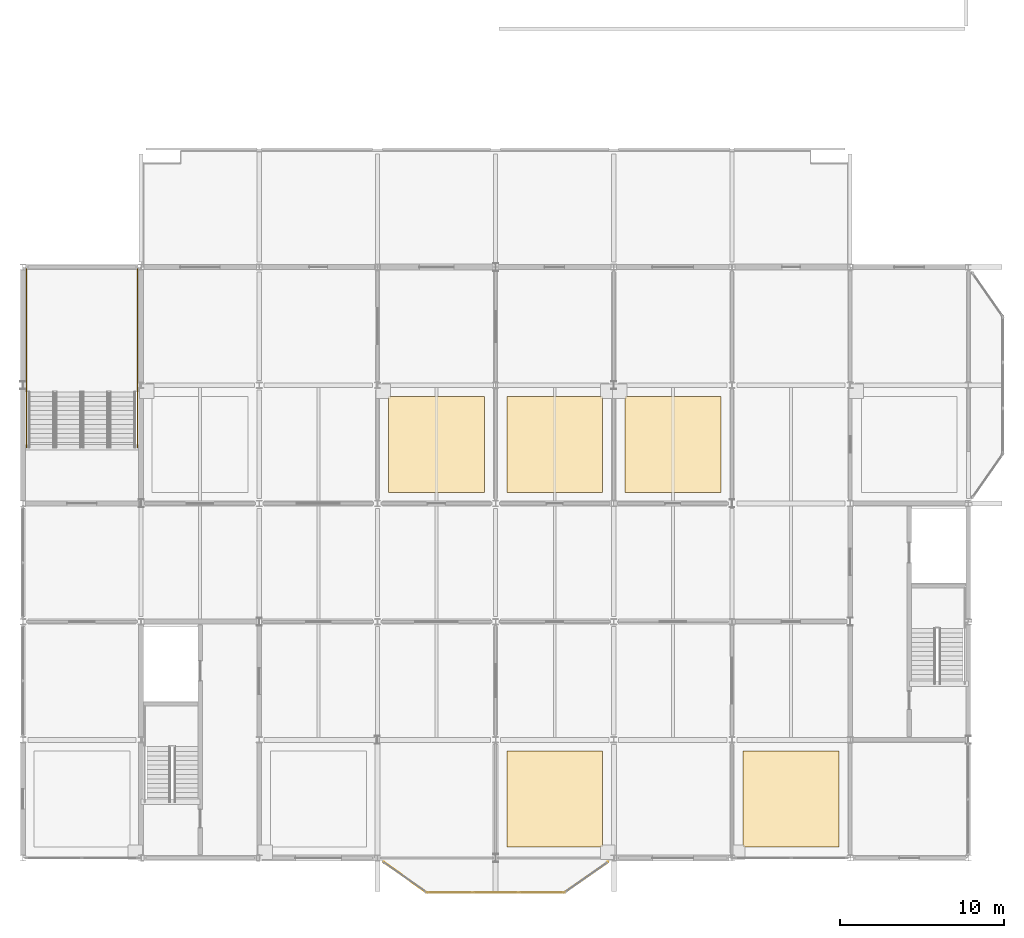
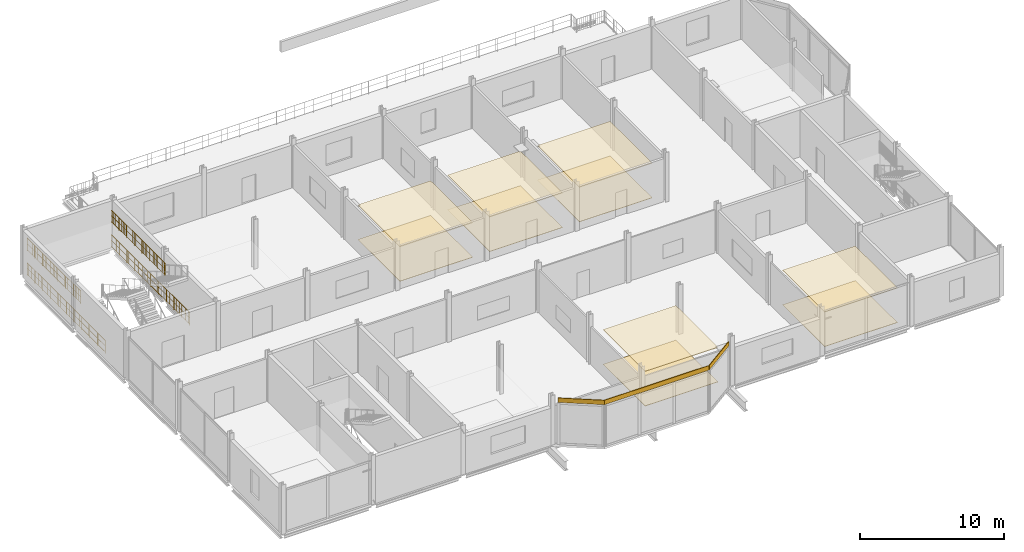
# One storey, part 24 of 26: 13 coverings, 4 railings.
"""IFC4 building model written with IfcOpenShell, lengths in metres."""

from ifc_helpers import new_model, si_unit, direction, frame, frame_2d, origin, origin_2d, place, context, subcontext, project, spatial, polyline, rectangle, circle, outline, extrude, material, layer, layer_set, type_object, element, save


model = new_model("IFC4")

# Units and contexts
model_context = context("Model", 3, precision=1e-05, world=origin(), true_north=direction((0.0, 1.0)))
body_context = subcontext(model_context, "Body", "Model", "MODEL_VIEW")
ifc_project = project(units=[si_unit("LENGTHUNIT", "METRE"), si_unit("AREAUNIT", "SQUARE_METRE"), si_unit("VOLUMEUNIT", "CUBIC_METRE"), si_unit("PLANEANGLEUNIT", "RADIAN"), si_unit("MASSUNIT", "GRAM", prefix="KILO")], contexts=[model_context])

# Site, building, storey
site_placement = place(None, origin())
site = spatial("IfcSite", under=ifc_project, at=site_placement, CompositionType="ELEMENT")
building_placement = place(site_placement, origin())
building = spatial("IfcBuilding", under=site, at=building_placement, Name="Vesperath Aquatics Centre", CompositionType="ELEMENT")
storey_placement = place(building_placement, frame((0.0, 0.0, 19.199951171875)))
storey = spatial("IfcBuildingStorey", under=building, at=storey_placement, Name="L04", CompositionType="ELEMENT", Elevation=19.199951171875)

# Coverings
ifc_material_1 = material(Name="Teal and ochre glazed ceramic majolica frieze", Category="ceramic")
ifc_layer_1 = layer(ifc_material_1, 0.0400390625)
ifc_layer_set_1 = layer_set([ifc_layer_1], Name="Teal and ochre glazed ceramic majolica frieze")
covering_type_1 = type_object("IfcCoveringType", Name="CV-CLD01", PredefinedType="CLADDING", material=ifc_layer_set_1)
covering_1_placement = place(storey_placement, frame((137.159912109375, -0.251953125, 3.5400390625), z_axis=(0.0, 0.0, 1.0), x_axis=(0.819224802448, -0.573472512903, 0.0)))
element("IfcCovering", 1, at=covering_1_placement, inside=storey, type_object=covering_type_1, Name="South Bow Oriel Majolica Frieze CLD1 L04-W", PredefinedType="CLADDING", context=body_context, shape_type="SweptSolid", body=[
    extrude(rectangle(XDim=3.22265625, YDim=0.050048828125, at=frame_2d((1.611328125, 0.0))), origin(), (0.0, 0.0, 1.0), 0.380126953125),
])
covering_2_placement = place(storey_placement, frame((139.800048828125, -2.10009765625, 3.5400390625), z_axis=(0.0, 0.0, 1.0), x_axis=(1.0, 0.0, 0.0)))
element("IfcCovering", 2, at=covering_2_placement, inside=storey, type_object=covering_type_1, Name="South Bow Oriel Majolica Frieze CLD1 L04-C", PredefinedType="CLADDING", context=body_context, shape_type="SweptSolid", body=[
    extrude(rectangle(XDim=8.39990234375, YDim=0.050048828125, at=frame_2d((4.199951171875, 0.0))), origin(), (0.0, 0.0, 1.0), 0.380126953125),
])
covering_3_placement = place(storey_placement, frame((148.199951171875, -2.10009765625, 3.5400390625), z_axis=(0.0, 0.0, 1.0), x_axis=(0.819224802448, 0.573472512903, 0.0)))
element("IfcCovering", 3, at=covering_3_placement, inside=storey, type_object=covering_type_1, Name="South Bow Oriel Majolica Frieze CLD1 L04-E", PredefinedType="CLADDING", context=body_context, shape_type="SweptSolid", body=[
    extrude(rectangle(XDim=3.22265625, YDim=0.050048828125, at=frame_2d((1.611328125, 0.0))), origin(), (0.0, 0.0, 1.0), 0.380126953125),
])
ifc_material_2 = material(Name="Perforated moisture-resistant acoustic mineral-fibre ceiling", Category="gypsum")
ifc_layer_2 = layer(ifc_material_2, 0.044921875)
ifc_layer_set_2 = layer_set([ifc_layer_2], Name="Perforated moisture-resistant acoustic mineral-fibre ceiling")
covering_type_2 = type_object("IfcCoveringType", Name="CV-CLG01", PredefinedType="CEILING", material=ifc_layer_set_2)
covering_4_placement = place(storey_placement, frame((0.0, 0.0, 2.925048828125)))
element("IfcCovering", 4, at=covering_4_placement, inside=storey, type_object=covering_type_2, Name="Acoustic Suspended Ceiling CLG1 L04_CRYO", PredefinedType="CEILING", context=body_context, shape_type="SweptSolid", body=[
    extrude(outline(polyline([(144.679931640625, 0.679931640625), (150.52001953125, 0.679931640625), (150.52001953125, 6.52001953125), (144.679931640625, 6.52001953125), (144.679931640625, 0.679931640625)])), origin(), (0.0, 0.0, 1.0), 0.044921875),
])
covering_5_placement = place(storey_placement, frame((0.0, 0.0, 2.925048828125)))
element("IfcCovering", 5, at=covering_5_placement, inside=storey, type_object=covering_type_2, Name="Acoustic Suspended Ceiling CLG1 L04_CONSULT", PredefinedType="CEILING", context=body_context, shape_type="SweptSolid", body=[
    extrude(outline(polyline([(159.080078125, 0.679931640625), (164.919921875, 0.679931640625), (164.919921875, 6.52001953125), (159.080078125, 6.52001953125), (159.080078125, 0.679931640625)])), origin(), (0.0, 0.0, 1.0), 0.044921875),
])
covering_6_placement = place(storey_placement, frame((0.0, 0.0, 2.925048828125)))
element("IfcCovering", 6, at=covering_6_placement, inside=storey, type_object=covering_type_2, Name="Acoustic Suspended Ceiling CLG1 L04_NUTR", PredefinedType="CEILING", context=body_context, shape_type="SweptSolid", body=[
    extrude(outline(polyline([(137.47998046875, 22.280029296875), (143.320068359375, 22.280029296875), (143.320068359375, 28.1201171875), (137.47998046875, 28.1201171875), (137.47998046875, 22.280029296875)])), origin(), (0.0, 0.0, 1.0), 0.044921875),
])
covering_7_placement = place(storey_placement, frame((0.0, 0.0, 2.925048828125)))
element("IfcCovering", 7, at=covering_7_placement, inside=storey, type_object=covering_type_2, Name="Acoustic Suspended Ceiling CLG1 L04_MWC", PredefinedType="CEILING", context=body_context, shape_type="SweptSolid", body=[
    extrude(outline(polyline([(144.679931640625, 22.280029296875), (150.52001953125, 22.280029296875), (150.52001953125, 28.1201171875), (144.679931640625, 28.1201171875), (144.679931640625, 22.280029296875)])), origin(), (0.0, 0.0, 1.0), 0.044921875),
])
covering_8_placement = place(storey_placement, frame((0.0, 0.0, 2.925048828125)))
element("IfcCovering", 8, at=covering_8_placement, inside=storey, type_object=covering_type_2, Name="Acoustic Suspended Ceiling CLG1 L04_FWC", PredefinedType="CEILING", context=body_context, shape_type="SweptSolid", body=[
    extrude(outline(polyline([(151.8798828125, 22.280029296875), (157.719970703125, 22.280029296875), (157.719970703125, 28.1201171875), (151.8798828125, 28.1201171875), (151.8798828125, 22.280029296875)])), origin(), (0.0, 0.0, 1.0), 0.044921875),
])
ifc_material_3 = material(Name="Slip-resistant vitrified ceramic and terrazzo flooring", Category="ceramic")
ifc_layer_3 = layer(ifc_material_3, 0.030029296875)
ifc_layer_set_3 = layer_set([ifc_layer_3], Name="Slip-resistant vitrified ceramic and terrazzo flooring")
covering_type_3 = type_object("IfcCoveringType", Name="CV-FLR01", PredefinedType="FLOORING", material=ifc_layer_set_3)
covering_9_placement = place(storey_placement, origin())
element("IfcCovering", 9, at=covering_9_placement, inside=storey, type_object=covering_type_3, Name="Slip-Resistant Floor Finish FLR1 L04_CRYO", PredefinedType="FLOORING", context=body_context, shape_type="SweptSolid", body=[
    extrude(outline(polyline([(144.679931640625, 0.679931640625), (150.52001953125, 0.679931640625), (150.52001953125, 6.52001953125), (144.679931640625, 6.52001953125), (144.679931640625, 0.679931640625)])), origin(), (0.0, 0.0, 1.0), 0.030029296875),
])
covering_10_placement = place(storey_placement, origin())
element("IfcCovering", 10, at=covering_10_placement, inside=storey, type_object=covering_type_3, Name="Slip-Resistant Floor Finish FLR1 L04_CONSULT", PredefinedType="FLOORING", context=body_context, shape_type="SweptSolid", body=[
    extrude(outline(polyline([(159.080078125, 0.679931640625), (164.919921875, 0.679931640625), (164.919921875, 6.52001953125), (159.080078125, 6.52001953125), (159.080078125, 0.679931640625)])), origin(), (0.0, 0.0, 1.0), 0.030029296875),
])
covering_11_placement = place(storey_placement, origin())
element("IfcCovering", 11, at=covering_11_placement, inside=storey, type_object=covering_type_3, Name="Slip-Resistant Floor Finish FLR1 L04_NUTR", PredefinedType="FLOORING", context=body_context, shape_type="SweptSolid", body=[
    extrude(outline(polyline([(137.47998046875, 22.280029296875), (143.320068359375, 22.280029296875), (143.320068359375, 28.1201171875), (137.47998046875, 28.1201171875), (137.47998046875, 22.280029296875)])), origin(), (0.0, 0.0, 1.0), 0.030029296875),
])
covering_12_placement = place(storey_placement, origin())
element("IfcCovering", 12, at=covering_12_placement, inside=storey, type_object=covering_type_3, Name="Slip-Resistant Floor Finish FLR1 L04_MWC", PredefinedType="FLOORING", context=body_context, shape_type="SweptSolid", body=[
    extrude(outline(polyline([(144.679931640625, 22.280029296875), (150.52001953125, 22.280029296875), (150.52001953125, 28.1201171875), (144.679931640625, 28.1201171875), (144.679931640625, 22.280029296875)])), origin(), (0.0, 0.0, 1.0), 0.030029296875),
])
covering_13_placement = place(storey_placement, origin())
element("IfcCovering", 13, at=covering_13_placement, inside=storey, type_object=covering_type_3, Name="Slip-Resistant Floor Finish FLR1 L04_FWC", PredefinedType="FLOORING", context=body_context, shape_type="SweptSolid", body=[
    extrude(outline(polyline([(151.8798828125, 22.280029296875), (157.719970703125, 22.280029296875), (157.719970703125, 28.1201171875), (151.8798828125, 28.1201171875), (151.8798828125, 22.280029296875)])), origin(), (0.0, 0.0, 1.0), 0.030029296875),
])

# Railings
ifc_material_4 = material(Name="Powder-coated galvanized steel safety guard", Category="steel")
railing_type = type_object("IfcRailingType", Name="RL-GRD01", PredefinedType="GUARDRAIL", material=ifc_material_4)
railing_1_placement = place(storey_placement, frame((115.419921875, 28.419921875, 2.10009765625)))
element("IfcRailing", 14, at=railing_1_placement, inside=storey, type_object=railing_type, Name="Stair ST7A Half-Landing Wall Guard GR02 L04", PredefinedType="GUARDRAIL", context=body_context, shape_type="SweptSolid", body=[
    extrude(circle(Radius=0.02392578125, at=origin_2d()), frame((0.0, 0.0, 1.0859375), z_axis=(0.0, 1.0, 0.0), x_axis=(-1.0, 0.0, 0.0)), (0.0, 0.0, 1.0), 7.4501953125),
    extrude(circle(Radius=0.01611328125, at=origin_2d()), frame((0.0, 0.0, 0.10009765625), z_axis=(0.0, 1.0, 0.0), x_axis=(-1.0, 0.0, 0.0)), (0.0, 0.0, 1.0), 7.4501953125),
    extrude(circle(Radius=0.01611328125, at=origin_2d()), frame((0.0, 0.0, 0.610595703125), z_axis=(0.0, 1.0, 0.0), x_axis=(-1.0, 0.0, 0.0)), (0.0, 0.0, 1.0), 7.4501953125),
    extrude(circle(Radius=0.009033203125, at=origin_2d()), frame((0.0, 0.109619140625, 0.10009765625)), (0.0, 0.0, 1.0), 0.9619140625),
    extrude(circle(Radius=0.009033203125, at=origin_2d()), frame((0.0, 0.32861328125, 0.10009765625)), (0.0, 0.0, 1.0), 0.9619140625),
    extrude(circle(Radius=0.009033203125, at=origin_2d()), frame((0.0, 0.5478515625, 0.10009765625)), (0.0, 0.0, 1.0), 0.9619140625),
    extrude(circle(Radius=0.009033203125, at=origin_2d()), frame((0.0, 0.766845703125, 0.10009765625)), (0.0, 0.0, 1.0), 0.9619140625),
    extrude(circle(Radius=0.009033203125, at=origin_2d()), frame((0.0, 0.986083984375, 0.10009765625)), (0.0, 0.0, 1.0), 0.9619140625),
    extrude(circle(Radius=0.009033203125, at=origin_2d()), frame((0.0, 1.205078125, 0.10009765625)), (0.0, 0.0, 1.0), 0.9619140625),
    extrude(circle(Radius=0.009033203125, at=origin_2d()), frame((0.0, 1.42431640625, 0.10009765625)), (0.0, 0.0, 1.0), 0.9619140625),
    extrude(circle(Radius=0.009033203125, at=origin_2d()), frame((0.0, 1.643310546875, 0.10009765625)), (0.0, 0.0, 1.0), 0.9619140625),
    extrude(circle(Radius=0.009033203125, at=origin_2d()), frame((0.0, 1.862548828125, 0.10009765625)), (0.0, 0.0, 1.0), 0.9619140625),
    extrude(circle(Radius=0.009033203125, at=origin_2d()), frame((0.0, 2.081787109375, 0.10009765625)), (0.0, 0.0, 1.0), 0.9619140625),
    extrude(circle(Radius=0.009033203125, at=origin_2d()), frame((0.0, 2.30078125, 0.10009765625)), (0.0, 0.0, 1.0), 0.9619140625),
    extrude(circle(Radius=0.009033203125, at=origin_2d()), frame((0.0, 2.52001953125, 0.10009765625)), (0.0, 0.0, 1.0), 0.9619140625),
    extrude(circle(Radius=0.009033203125, at=origin_2d()), frame((0.0, 2.739013671875, 0.10009765625)), (0.0, 0.0, 1.0), 0.9619140625),
    extrude(circle(Radius=0.009033203125, at=origin_2d()), frame((0.0, 2.958251953125, 0.10009765625)), (0.0, 0.0, 1.0), 0.9619140625),
    extrude(circle(Radius=0.009033203125, at=origin_2d()), frame((0.0, 3.17724609375, 0.10009765625)), (0.0, 0.0, 1.0), 0.9619140625),
    extrude(circle(Radius=0.009033203125, at=origin_2d()), frame((0.0, 3.396484375, 0.10009765625)), (0.0, 0.0, 1.0), 0.9619140625),
    extrude(circle(Radius=0.009033203125, at=origin_2d()), frame((0.0, 3.615478515625, 0.10009765625)), (0.0, 0.0, 1.0), 0.9619140625),
    extrude(circle(Radius=0.009033203125, at=origin_2d()), frame((0.0, 3.834716796875, 0.10009765625)), (0.0, 0.0, 1.0), 0.9619140625),
    extrude(circle(Radius=0.009033203125, at=origin_2d()), frame((0.0, 4.0537109375, 0.10009765625)), (0.0, 0.0, 1.0), 0.9619140625),
    extrude(circle(Radius=0.009033203125, at=origin_2d()), frame((0.0, 4.27294921875, 0.10009765625)), (0.0, 0.0, 1.0), 0.9619140625),
    extrude(circle(Radius=0.009033203125, at=origin_2d()), frame((0.0, 4.491943359375, 0.10009765625)), (0.0, 0.0, 1.0), 0.9619140625),
    extrude(circle(Radius=0.009033203125, at=origin_2d()), frame((0.0, 4.711181640625, 0.10009765625)), (0.0, 0.0, 1.0), 0.9619140625),
    extrude(circle(Radius=0.009033203125, at=origin_2d()), frame((0.0, 4.93017578125, 0.10009765625)), (0.0, 0.0, 1.0), 0.9619140625),
    extrude(circle(Radius=0.009033203125, at=origin_2d()), frame((0.0, 5.1494140625, 0.10009765625)), (0.0, 0.0, 1.0), 0.9619140625),
    extrude(circle(Radius=0.009033203125, at=origin_2d()), frame((0.0, 5.368408203125, 0.10009765625)), (0.0, 0.0, 1.0), 0.9619140625),
    extrude(circle(Radius=0.009033203125, at=origin_2d()), frame((0.0, 5.587646484375, 0.10009765625)), (0.0, 0.0, 1.0), 0.9619140625),
    extrude(circle(Radius=0.009033203125, at=origin_2d()), frame((0.0, 5.806884765625, 0.10009765625)), (0.0, 0.0, 1.0), 0.9619140625),
    extrude(circle(Radius=0.009033203125, at=origin_2d()), frame((0.0, 6.02587890625, 0.10009765625)), (0.0, 0.0, 1.0), 0.9619140625),
    extrude(circle(Radius=0.009033203125, at=origin_2d()), frame((0.0, 6.2451171875, 0.10009765625)), (0.0, 0.0, 1.0), 0.9619140625),
    extrude(circle(Radius=0.009033203125, at=origin_2d()), frame((0.0, 6.464111328125, 0.10009765625)), (0.0, 0.0, 1.0), 0.9619140625),
    extrude(circle(Radius=0.009033203125, at=origin_2d()), frame((0.0, 6.683349609375, 0.10009765625)), (0.0, 0.0, 1.0), 0.9619140625),
    extrude(circle(Radius=0.009033203125, at=origin_2d()), frame((0.0, 6.90234375, 0.10009765625)), (0.0, 0.0, 1.0), 0.9619140625),
    extrude(circle(Radius=0.009033203125, at=origin_2d()), frame((0.0, 7.12158203125, 0.10009765625)), (0.0, 0.0, 1.0), 0.9619140625),
    extrude(circle(Radius=0.009033203125, at=origin_2d()), frame((0.0, 7.340576171875, 0.10009765625)), (0.0, 0.0, 1.0), 0.9619140625),
    extrude(circle(Radius=0.02197265625, at=origin_2d()), origin(), (0.0, 0.0, 1.0), 1.0859375),
    extrude(circle(Radius=0.02197265625, at=origin_2d()), frame((0.0, 1.064208984375, 0.0)), (0.0, 0.0, 1.0), 1.0859375),
    extrude(circle(Radius=0.02197265625, at=origin_2d()), frame((0.0, 2.128662109375, 0.0)), (0.0, 0.0, 1.0), 1.0859375),
    extrude(circle(Radius=0.02197265625, at=origin_2d()), frame((0.0, 3.19287109375, 0.0)), (0.0, 0.0, 1.0), 1.0859375),
    extrude(circle(Radius=0.02197265625, at=origin_2d()), frame((0.0, 4.25732421875, 0.0)), (0.0, 0.0, 1.0), 1.0859375),
    extrude(circle(Radius=0.02197265625, at=origin_2d()), frame((0.0, 5.321533203125, 0.0)), (0.0, 0.0, 1.0), 1.0859375),
    extrude(circle(Radius=0.02197265625, at=origin_2d()), frame((0.0, 6.385986328125, 0.0)), (0.0, 0.0, 1.0), 1.0859375),
    extrude(circle(Radius=0.02197265625, at=origin_2d()), frame((0.0, 7.4501953125, 0.0)), (0.0, 0.0, 1.0), 1.0859375),
])
railing_2_placement = place(storey_placement, frame((115.419921875, 25.0, 0.0)))
element("IfcRailing", 15, at=railing_2_placement, inside=storey, type_object=railing_type, Name="Stair ST7A Shaft Side Guard GR02 L04", PredefinedType="GUARDRAIL", context=body_context, shape_type="SweptSolid", body=[
    extrude(circle(Radius=0.02392578125, at=origin_2d()), frame((0.0, 0.0, 1.0859375), z_axis=(0.0, 1.0, 0.0), x_axis=(-1.0, 0.0, 0.0)), (0.0, 0.0, 1.0), 10.8701171875),
    extrude(circle(Radius=0.01611328125, at=origin_2d()), frame((0.0, 0.0, 0.10009765625), z_axis=(0.0, 1.0, 0.0), x_axis=(-1.0, 0.0, 0.0)), (0.0, 0.0, 1.0), 10.8701171875),
    extrude(circle(Radius=0.01611328125, at=origin_2d()), frame((0.0, 0.0, 0.610595703125), z_axis=(0.0, 1.0, 0.0), x_axis=(-1.0, 0.0, 0.0)), (0.0, 0.0, 1.0), 10.8701171875),
    extrude(circle(Radius=0.009033203125, at=origin_2d()), frame((0.0, 0.10986328125, 0.10009765625)), (0.0, 0.0, 1.0), 0.9619140625),
    extrude(circle(Radius=0.009033203125, at=origin_2d()), frame((0.0, 0.549072265625, 0.10009765625)), (0.0, 0.0, 1.0), 0.9619140625),
    extrude(circle(Radius=0.009033203125, at=origin_2d()), frame((0.0, 0.98828125, 0.10009765625)), (0.0, 0.0, 1.0), 0.9619140625),
    extrude(circle(Radius=0.009033203125, at=origin_2d()), frame((0.0, 1.427490234375, 0.10009765625)), (0.0, 0.0, 1.0), 0.9619140625),
    extrude(circle(Radius=0.009033203125, at=origin_2d()), frame((0.0, 1.86669921875, 0.10009765625)), (0.0, 0.0, 1.0), 0.9619140625),
    extrude(circle(Radius=0.009033203125, at=origin_2d()), frame((0.0, 2.3056640625, 0.10009765625)), (0.0, 0.0, 1.0), 0.9619140625),
    extrude(circle(Radius=0.009033203125, at=origin_2d()), frame((0.0, 2.744873046875, 0.10009765625)), (0.0, 0.0, 1.0), 0.9619140625),
    extrude(circle(Radius=0.009033203125, at=origin_2d()), frame((0.0, 3.18408203125, 0.10009765625)), (0.0, 0.0, 1.0), 0.9619140625),
    extrude(circle(Radius=0.009033203125, at=origin_2d()), frame((0.0, 3.623291015625, 0.10009765625)), (0.0, 0.0, 1.0), 0.9619140625),
    extrude(circle(Radius=0.009033203125, at=origin_2d()), frame((0.0, 4.0625, 0.10009765625)), (0.0, 0.0, 1.0), 0.9619140625),
    extrude(circle(Radius=0.009033203125, at=origin_2d()), frame((0.0, 4.501708984375, 0.10009765625)), (0.0, 0.0, 1.0), 0.9619140625),
    extrude(circle(Radius=0.009033203125, at=origin_2d()), frame((0.0, 4.94091796875, 0.10009765625)), (0.0, 0.0, 1.0), 0.9619140625),
    extrude(circle(Radius=0.009033203125, at=origin_2d()), frame((0.0, 5.380126953125, 0.10009765625)), (0.0, 0.0, 1.0), 0.9619140625),
    extrude(circle(Radius=0.009033203125, at=origin_2d()), frame((0.0, 5.8193359375, 0.10009765625)), (0.0, 0.0, 1.0), 0.9619140625),
    extrude(circle(Radius=0.009033203125, at=origin_2d()), frame((0.0, 6.258544921875, 0.10009765625)), (0.0, 0.0, 1.0), 0.9619140625),
    extrude(circle(Radius=0.009033203125, at=origin_2d()), frame((0.0, 6.69775390625, 0.10009765625)), (0.0, 0.0, 1.0), 0.9619140625),
    extrude(circle(Radius=0.009033203125, at=origin_2d()), frame((0.0, 7.136962890625, 0.10009765625)), (0.0, 0.0, 1.0), 0.9619140625),
    extrude(circle(Radius=0.009033203125, at=origin_2d()), frame((0.0, 7.576171875, 0.10009765625)), (0.0, 0.0, 1.0), 0.9619140625),
    extrude(circle(Radius=0.009033203125, at=origin_2d()), frame((0.0, 8.015380859375, 0.10009765625)), (0.0, 0.0, 1.0), 0.9619140625),
    extrude(circle(Radius=0.009033203125, at=origin_2d()), frame((0.0, 8.45458984375, 0.10009765625)), (0.0, 0.0, 1.0), 0.9619140625),
    extrude(circle(Radius=0.009033203125, at=origin_2d()), frame((0.0, 8.893798828125, 0.10009765625)), (0.0, 0.0, 1.0), 0.9619140625),
    extrude(circle(Radius=0.009033203125, at=origin_2d()), frame((0.0, 9.3330078125, 0.10009765625)), (0.0, 0.0, 1.0), 0.9619140625),
    extrude(circle(Radius=0.009033203125, at=origin_2d()), frame((0.0, 9.772216796875, 0.10009765625)), (0.0, 0.0, 1.0), 0.9619140625),
    extrude(circle(Radius=0.009033203125, at=origin_2d()), frame((0.0, 10.21142578125, 0.10009765625)), (0.0, 0.0, 1.0), 0.9619140625),
    extrude(circle(Radius=0.009033203125, at=origin_2d()), frame((0.0, 10.650634765625, 0.10009765625)), (0.0, 0.0, 1.0), 0.9619140625),
    extrude(circle(Radius=0.02197265625, at=origin_2d()), origin(), (0.0, 0.0, 1.0), 1.0859375),
    extrude(circle(Radius=0.02197265625, at=origin_2d()), frame((0.0, 1.0869140625, 0.0)), (0.0, 0.0, 1.0), 1.0859375),
    extrude(circle(Radius=0.02197265625, at=origin_2d()), frame((0.0, 2.174072265625, 0.0)), (0.0, 0.0, 1.0), 1.0859375),
    extrude(circle(Radius=0.02197265625, at=origin_2d()), frame((0.0, 3.260986328125, 0.0)), (0.0, 0.0, 1.0), 1.0859375),
    extrude(circle(Radius=0.02197265625, at=origin_2d()), frame((0.0, 4.34814453125, 0.0)), (0.0, 0.0, 1.0), 1.0859375),
    extrude(circle(Radius=0.02197265625, at=origin_2d()), frame((0.0, 5.43505859375, 0.0)), (0.0, 0.0, 1.0), 1.0859375),
    extrude(circle(Radius=0.02197265625, at=origin_2d()), frame((0.0, 6.52197265625, 0.0)), (0.0, 0.0, 1.0), 1.0859375),
    extrude(circle(Radius=0.02197265625, at=origin_2d()), frame((0.0, 7.609130859375, 0.0)), (0.0, 0.0, 1.0), 1.0859375),
    extrude(circle(Radius=0.02197265625, at=origin_2d()), frame((0.0, 8.696044921875, 0.0)), (0.0, 0.0, 1.0), 1.0859375),
    extrude(circle(Radius=0.02197265625, at=origin_2d()), frame((0.0, 9.783203125, 0.0)), (0.0, 0.0, 1.0), 1.0859375),
    extrude(circle(Radius=0.02197265625, at=origin_2d()), frame((0.0, 10.8701171875, 0.0)), (0.0, 0.0, 1.0), 1.0859375),
])
railing_3_placement = place(storey_placement, frame((122.179931640625, 28.419921875, 2.10009765625)))
element("IfcRailing", 16, at=railing_3_placement, inside=storey, type_object=railing_type, Name="Stair ST7B Half-Landing Wall Guard GR02 L04", PredefinedType="GUARDRAIL", context=body_context, shape_type="SweptSolid", body=[
    extrude(circle(Radius=0.02392578125, at=origin_2d()), frame((0.0, 0.0, 1.0859375), z_axis=(0.0, 1.0, 0.0), x_axis=(-1.0, 0.0, 0.0)), (0.0, 0.0, 1.0), 7.4501953125),
    extrude(circle(Radius=0.01611328125, at=origin_2d()), frame((0.0, 0.0, 0.10009765625), z_axis=(0.0, 1.0, 0.0), x_axis=(-1.0, 0.0, 0.0)), (0.0, 0.0, 1.0), 7.4501953125),
    extrude(circle(Radius=0.01611328125, at=origin_2d()), frame((0.0, 0.0, 0.610595703125), z_axis=(0.0, 1.0, 0.0), x_axis=(-1.0, 0.0, 0.0)), (0.0, 0.0, 1.0), 7.4501953125),
    extrude(circle(Radius=0.009033203125, at=origin_2d()), frame((0.0, 0.109619140625, 0.10009765625)), (0.0, 0.0, 1.0), 0.9619140625),
    extrude(circle(Radius=0.009033203125, at=origin_2d()), frame((0.0, 0.32861328125, 0.10009765625)), (0.0, 0.0, 1.0), 0.9619140625),
    extrude(circle(Radius=0.009033203125, at=origin_2d()), frame((0.0, 0.5478515625, 0.10009765625)), (0.0, 0.0, 1.0), 0.9619140625),
    extrude(circle(Radius=0.009033203125, at=origin_2d()), frame((0.0, 0.766845703125, 0.10009765625)), (0.0, 0.0, 1.0), 0.9619140625),
    extrude(circle(Radius=0.009033203125, at=origin_2d()), frame((0.0, 0.986083984375, 0.10009765625)), (0.0, 0.0, 1.0), 0.9619140625),
    extrude(circle(Radius=0.009033203125, at=origin_2d()), frame((0.0, 1.205078125, 0.10009765625)), (0.0, 0.0, 1.0), 0.9619140625),
    extrude(circle(Radius=0.009033203125, at=origin_2d()), frame((0.0, 1.42431640625, 0.10009765625)), (0.0, 0.0, 1.0), 0.9619140625),
    extrude(circle(Radius=0.009033203125, at=origin_2d()), frame((0.0, 1.643310546875, 0.10009765625)), (0.0, 0.0, 1.0), 0.9619140625),
    extrude(circle(Radius=0.009033203125, at=origin_2d()), frame((0.0, 1.862548828125, 0.10009765625)), (0.0, 0.0, 1.0), 0.9619140625),
    extrude(circle(Radius=0.009033203125, at=origin_2d()), frame((0.0, 2.081787109375, 0.10009765625)), (0.0, 0.0, 1.0), 0.9619140625),
    extrude(circle(Radius=0.009033203125, at=origin_2d()), frame((0.0, 2.30078125, 0.10009765625)), (0.0, 0.0, 1.0), 0.9619140625),
    extrude(circle(Radius=0.009033203125, at=origin_2d()), frame((0.0, 2.52001953125, 0.10009765625)), (0.0, 0.0, 1.0), 0.9619140625),
    extrude(circle(Radius=0.009033203125, at=origin_2d()), frame((0.0, 2.739013671875, 0.10009765625)), (0.0, 0.0, 1.0), 0.9619140625),
    extrude(circle(Radius=0.009033203125, at=origin_2d()), frame((0.0, 2.958251953125, 0.10009765625)), (0.0, 0.0, 1.0), 0.9619140625),
    extrude(circle(Radius=0.009033203125, at=origin_2d()), frame((0.0, 3.17724609375, 0.10009765625)), (0.0, 0.0, 1.0), 0.9619140625),
    extrude(circle(Radius=0.009033203125, at=origin_2d()), frame((0.0, 3.396484375, 0.10009765625)), (0.0, 0.0, 1.0), 0.9619140625),
    extrude(circle(Radius=0.009033203125, at=origin_2d()), frame((0.0, 3.615478515625, 0.10009765625)), (0.0, 0.0, 1.0), 0.9619140625),
    extrude(circle(Radius=0.009033203125, at=origin_2d()), frame((0.0, 3.834716796875, 0.10009765625)), (0.0, 0.0, 1.0), 0.9619140625),
    extrude(circle(Radius=0.009033203125, at=origin_2d()), frame((0.0, 4.0537109375, 0.10009765625)), (0.0, 0.0, 1.0), 0.9619140625),
    extrude(circle(Radius=0.009033203125, at=origin_2d()), frame((0.0, 4.27294921875, 0.10009765625)), (0.0, 0.0, 1.0), 0.9619140625),
    extrude(circle(Radius=0.009033203125, at=origin_2d()), frame((0.0, 4.491943359375, 0.10009765625)), (0.0, 0.0, 1.0), 0.9619140625),
    extrude(circle(Radius=0.009033203125, at=origin_2d()), frame((0.0, 4.711181640625, 0.10009765625)), (0.0, 0.0, 1.0), 0.9619140625),
    extrude(circle(Radius=0.009033203125, at=origin_2d()), frame((0.0, 4.93017578125, 0.10009765625)), (0.0, 0.0, 1.0), 0.9619140625),
    extrude(circle(Radius=0.009033203125, at=origin_2d()), frame((0.0, 5.1494140625, 0.10009765625)), (0.0, 0.0, 1.0), 0.9619140625),
    extrude(circle(Radius=0.009033203125, at=origin_2d()), frame((0.0, 5.368408203125, 0.10009765625)), (0.0, 0.0, 1.0), 0.9619140625),
    extrude(circle(Radius=0.009033203125, at=origin_2d()), frame((0.0, 5.587646484375, 0.10009765625)), (0.0, 0.0, 1.0), 0.9619140625),
    extrude(circle(Radius=0.009033203125, at=origin_2d()), frame((0.0, 5.806884765625, 0.10009765625)), (0.0, 0.0, 1.0), 0.9619140625),
    extrude(circle(Radius=0.009033203125, at=origin_2d()), frame((0.0, 6.02587890625, 0.10009765625)), (0.0, 0.0, 1.0), 0.9619140625),
    extrude(circle(Radius=0.009033203125, at=origin_2d()), frame((0.0, 6.2451171875, 0.10009765625)), (0.0, 0.0, 1.0), 0.9619140625),
    extrude(circle(Radius=0.009033203125, at=origin_2d()), frame((0.0, 6.464111328125, 0.10009765625)), (0.0, 0.0, 1.0), 0.9619140625),
    extrude(circle(Radius=0.009033203125, at=origin_2d()), frame((0.0, 6.683349609375, 0.10009765625)), (0.0, 0.0, 1.0), 0.9619140625),
    extrude(circle(Radius=0.009033203125, at=origin_2d()), frame((0.0, 6.90234375, 0.10009765625)), (0.0, 0.0, 1.0), 0.9619140625),
    extrude(circle(Radius=0.009033203125, at=origin_2d()), frame((0.0, 7.12158203125, 0.10009765625)), (0.0, 0.0, 1.0), 0.9619140625),
    extrude(circle(Radius=0.009033203125, at=origin_2d()), frame((0.0, 7.340576171875, 0.10009765625)), (0.0, 0.0, 1.0), 0.9619140625),
    extrude(circle(Radius=0.02197265625, at=origin_2d()), origin(), (0.0, 0.0, 1.0), 1.0859375),
    extrude(circle(Radius=0.02197265625, at=origin_2d()), frame((0.0, 1.064208984375, 0.0)), (0.0, 0.0, 1.0), 1.0859375),
    extrude(circle(Radius=0.02197265625, at=origin_2d()), frame((0.0, 2.128662109375, 0.0)), (0.0, 0.0, 1.0), 1.0859375),
    extrude(circle(Radius=0.02197265625, at=origin_2d()), frame((0.0, 3.19287109375, 0.0)), (0.0, 0.0, 1.0), 1.0859375),
    extrude(circle(Radius=0.02197265625, at=origin_2d()), frame((0.0, 4.25732421875, 0.0)), (0.0, 0.0, 1.0), 1.0859375),
    extrude(circle(Radius=0.02197265625, at=origin_2d()), frame((0.0, 5.321533203125, 0.0)), (0.0, 0.0, 1.0), 1.0859375),
    extrude(circle(Radius=0.02197265625, at=origin_2d()), frame((0.0, 6.385986328125, 0.0)), (0.0, 0.0, 1.0), 1.0859375),
    extrude(circle(Radius=0.02197265625, at=origin_2d()), frame((0.0, 7.4501953125, 0.0)), (0.0, 0.0, 1.0), 1.0859375),
])
railing_4_placement = place(storey_placement, frame((122.179931640625, 25.0, 0.0)))
element("IfcRailing", 17, at=railing_4_placement, inside=storey, type_object=railing_type, Name="Stair ST7B Shaft Side Guard GR02 L04", PredefinedType="GUARDRAIL", context=body_context, shape_type="SweptSolid", body=[
    extrude(circle(Radius=0.02392578125, at=origin_2d()), frame((0.0, 0.0, 1.0859375), z_axis=(0.0, 1.0, 0.0), x_axis=(-1.0, 0.0, 0.0)), (0.0, 0.0, 1.0), 10.8701171875),
    extrude(circle(Radius=0.01611328125, at=origin_2d()), frame((0.0, 0.0, 0.10009765625), z_axis=(0.0, 1.0, 0.0), x_axis=(-1.0, 0.0, 0.0)), (0.0, 0.0, 1.0), 10.8701171875),
    extrude(circle(Radius=0.01611328125, at=origin_2d()), frame((0.0, 0.0, 0.610595703125), z_axis=(0.0, 1.0, 0.0), x_axis=(-1.0, 0.0, 0.0)), (0.0, 0.0, 1.0), 10.8701171875),
    extrude(circle(Radius=0.009033203125, at=origin_2d()), frame((0.0, 0.10986328125, 0.10009765625)), (0.0, 0.0, 1.0), 0.9619140625),
    extrude(circle(Radius=0.009033203125, at=origin_2d()), frame((0.0, 0.549072265625, 0.10009765625)), (0.0, 0.0, 1.0), 0.9619140625),
    extrude(circle(Radius=0.009033203125, at=origin_2d()), frame((0.0, 0.98828125, 0.10009765625)), (0.0, 0.0, 1.0), 0.9619140625),
    extrude(circle(Radius=0.009033203125, at=origin_2d()), frame((0.0, 1.427490234375, 0.10009765625)), (0.0, 0.0, 1.0), 0.9619140625),
    extrude(circle(Radius=0.009033203125, at=origin_2d()), frame((0.0, 1.86669921875, 0.10009765625)), (0.0, 0.0, 1.0), 0.9619140625),
    extrude(circle(Radius=0.009033203125, at=origin_2d()), frame((0.0, 2.3056640625, 0.10009765625)), (0.0, 0.0, 1.0), 0.9619140625),
    extrude(circle(Radius=0.009033203125, at=origin_2d()), frame((0.0, 2.744873046875, 0.10009765625)), (0.0, 0.0, 1.0), 0.9619140625),
    extrude(circle(Radius=0.009033203125, at=origin_2d()), frame((0.0, 3.18408203125, 0.10009765625)), (0.0, 0.0, 1.0), 0.9619140625),
    extrude(circle(Radius=0.009033203125, at=origin_2d()), frame((0.0, 3.623291015625, 0.10009765625)), (0.0, 0.0, 1.0), 0.9619140625),
    extrude(circle(Radius=0.009033203125, at=origin_2d()), frame((0.0, 4.0625, 0.10009765625)), (0.0, 0.0, 1.0), 0.9619140625),
    extrude(circle(Radius=0.009033203125, at=origin_2d()), frame((0.0, 4.501708984375, 0.10009765625)), (0.0, 0.0, 1.0), 0.9619140625),
    extrude(circle(Radius=0.009033203125, at=origin_2d()), frame((0.0, 4.94091796875, 0.10009765625)), (0.0, 0.0, 1.0), 0.9619140625),
    extrude(circle(Radius=0.009033203125, at=origin_2d()), frame((0.0, 5.380126953125, 0.10009765625)), (0.0, 0.0, 1.0), 0.9619140625),
    extrude(circle(Radius=0.009033203125, at=origin_2d()), frame((0.0, 5.8193359375, 0.10009765625)), (0.0, 0.0, 1.0), 0.9619140625),
    extrude(circle(Radius=0.009033203125, at=origin_2d()), frame((0.0, 6.258544921875, 0.10009765625)), (0.0, 0.0, 1.0), 0.9619140625),
    extrude(circle(Radius=0.009033203125, at=origin_2d()), frame((0.0, 6.69775390625, 0.10009765625)), (0.0, 0.0, 1.0), 0.9619140625),
    extrude(circle(Radius=0.009033203125, at=origin_2d()), frame((0.0, 7.136962890625, 0.10009765625)), (0.0, 0.0, 1.0), 0.9619140625),
    extrude(circle(Radius=0.009033203125, at=origin_2d()), frame((0.0, 7.576171875, 0.10009765625)), (0.0, 0.0, 1.0), 0.9619140625),
    extrude(circle(Radius=0.009033203125, at=origin_2d()), frame((0.0, 8.015380859375, 0.10009765625)), (0.0, 0.0, 1.0), 0.9619140625),
    extrude(circle(Radius=0.009033203125, at=origin_2d()), frame((0.0, 8.45458984375, 0.10009765625)), (0.0, 0.0, 1.0), 0.9619140625),
    extrude(circle(Radius=0.009033203125, at=origin_2d()), frame((0.0, 8.893798828125, 0.10009765625)), (0.0, 0.0, 1.0), 0.9619140625),
    extrude(circle(Radius=0.009033203125, at=origin_2d()), frame((0.0, 9.3330078125, 0.10009765625)), (0.0, 0.0, 1.0), 0.9619140625),
    extrude(circle(Radius=0.009033203125, at=origin_2d()), frame((0.0, 9.772216796875, 0.10009765625)), (0.0, 0.0, 1.0), 0.9619140625),
    extrude(circle(Radius=0.009033203125, at=origin_2d()), frame((0.0, 10.21142578125, 0.10009765625)), (0.0, 0.0, 1.0), 0.9619140625),
    extrude(circle(Radius=0.009033203125, at=origin_2d()), frame((0.0, 10.650634765625, 0.10009765625)), (0.0, 0.0, 1.0), 0.9619140625),
    extrude(circle(Radius=0.02197265625, at=origin_2d()), origin(), (0.0, 0.0, 1.0), 1.0859375),
    extrude(circle(Radius=0.02197265625, at=origin_2d()), frame((0.0, 1.0869140625, 0.0)), (0.0, 0.0, 1.0), 1.0859375),
    extrude(circle(Radius=0.02197265625, at=origin_2d()), frame((0.0, 2.174072265625, 0.0)), (0.0, 0.0, 1.0), 1.0859375),
    extrude(circle(Radius=0.02197265625, at=origin_2d()), frame((0.0, 3.260986328125, 0.0)), (0.0, 0.0, 1.0), 1.0859375),
    extrude(circle(Radius=0.02197265625, at=origin_2d()), frame((0.0, 4.34814453125, 0.0)), (0.0, 0.0, 1.0), 1.0859375),
    extrude(circle(Radius=0.02197265625, at=origin_2d()), frame((0.0, 5.43505859375, 0.0)), (0.0, 0.0, 1.0), 1.0859375),
    extrude(circle(Radius=0.02197265625, at=origin_2d()), frame((0.0, 6.52197265625, 0.0)), (0.0, 0.0, 1.0), 1.0859375),
    extrude(circle(Radius=0.02197265625, at=origin_2d()), frame((0.0, 7.609130859375, 0.0)), (0.0, 0.0, 1.0), 1.0859375),
    extrude(circle(Radius=0.02197265625, at=origin_2d()), frame((0.0, 8.696044921875, 0.0)), (0.0, 0.0, 1.0), 1.0859375),
    extrude(circle(Radius=0.02197265625, at=origin_2d()), frame((0.0, 9.783203125, 0.0)), (0.0, 0.0, 1.0), 1.0859375),
    extrude(circle(Radius=0.02197265625, at=origin_2d()), frame((0.0, 10.8701171875, 0.0)), (0.0, 0.0, 1.0), 1.0859375),
])

save(model, "model.ifc")
